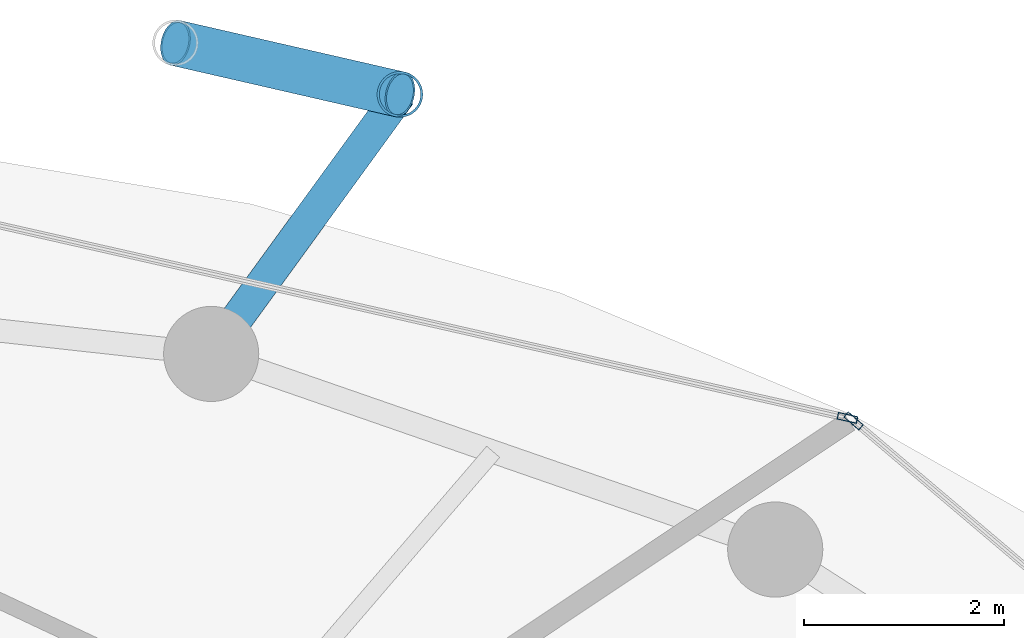
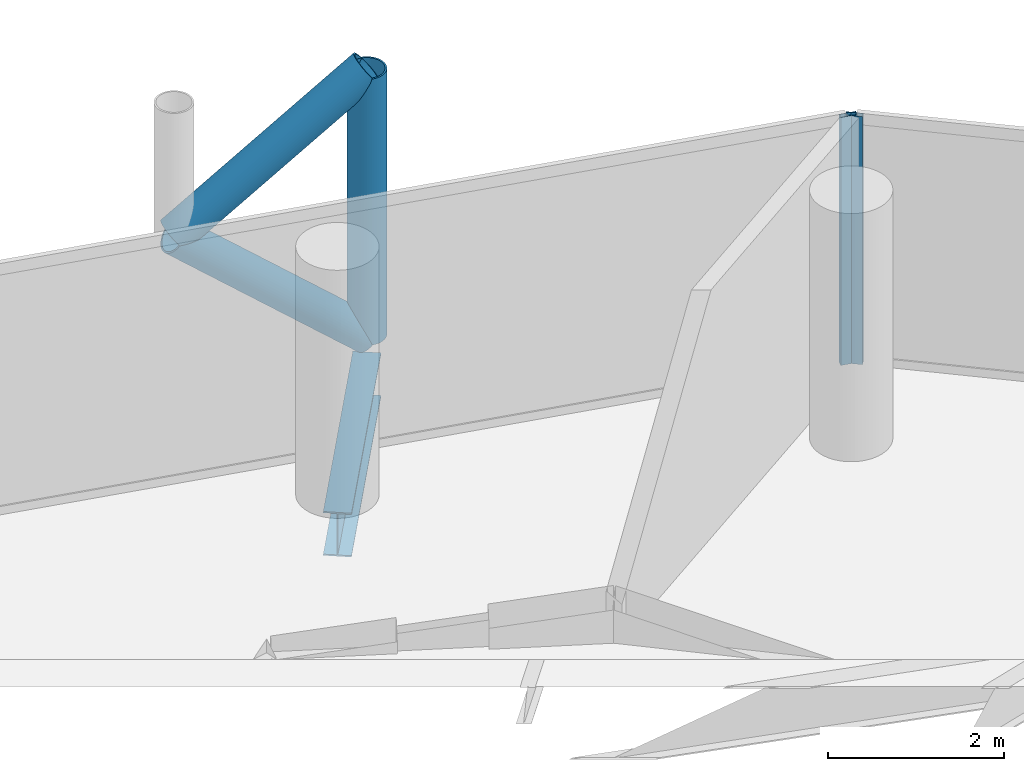
# One storey, part 20 of 26: 5 members, 1 beam, 2 elements without a shape of their own.
"""IFC4 building model written with IfcOpenShell, lengths in metres."""

from ifc_helpers import new_model, si_unit, direction, frame, origin, origin_2d, place, context, subcontext, project, spatial, hollow_rectangle, hollow_circle, i_section, extrude, material, layer, layer_set, material_profile, profile_set, type_object, element, aggregate, save


model = new_model("IFC4")

# Units and contexts
model_context = context("Model", 3, precision=1e-05, world=origin(), true_north=direction((0.0, 1.0)))
body_context = subcontext(model_context, "Body", "Model", "MODEL_VIEW")
ifc_project = project(units=[si_unit("LENGTHUNIT", "METRE"), si_unit("AREAUNIT", "SQUARE_METRE"), si_unit("VOLUMEUNIT", "CUBIC_METRE"), si_unit("PLANEANGLEUNIT", "RADIAN"), si_unit("MASSUNIT", "GRAM", prefix="KILO")], contexts=[model_context])

# Site, building, storey
site_placement = place(None, origin())
site = spatial("IfcSite", under=ifc_project, at=site_placement, CompositionType="ELEMENT")
building_placement = place(site_placement, origin())
building = spatial("IfcBuilding", under=site, at=building_placement, Name="Nuhasar Tower", CompositionType="ELEMENT")
storey_placement = place(building_placement, frame((0.0, 0.0, 133.050048828125)))
storey = spatial("IfcBuildingStorey", under=building, at=storey_placement, Name="L31", CompositionType="ELEMENT", Elevation=133.050048828125)

# Beam
ifc_material_1 = material(Name="Steel S355", Category="steel")
ifc_material_profile_1 = material_profile(ifc_material_1, i_section(OverallWidth=0.323974609375, OverallDepth=0.611083984375, WebThickness=0.0126953125, FlangeThickness=0.01904296875, at=origin_2d()), Name="W24X104")
ifc_profile_set_1 = profile_set([ifc_material_profile_1], Name="Steel S355")
beam_type = type_object("IfcBeamType", Name="BM-TIE-W24X104", PredefinedType="BEAM", material=ifc_profile_set_1)
beam_placement = place(storey_placement, frame((45.04296875, 45.68408203125, -0.554931640625), z_axis=(0.588185286445, 0.808726201387, 0.0), x_axis=(-0.808726201387, 0.588185286445, 0.0)))
element("IfcBeam", 1, at=beam_placement, inside=storey, type_object=beam_type, Name="L31 Exoskeleton Node Tie Beam 03", PredefinedType="BEAM", context=body_context, shape_type="SweptSolid", body=[
    extrude(i_section(OverallWidth=0.323974609375, OverallDepth=0.611083984375, WebThickness=0.0126953125, FlangeThickness=0.01904296875, at=origin_2d()), origin(), (0.0, 0.0, 1.0), 3.204833984375),
])

# Curtain wall, member
ifc_material_2 = material(Name="Aluminium 6063-T6", Category="aluminium")
ifc_layer = layer(ifc_material_2, 0.199951171875)
ifc_layer_set = layer_set([ifc_layer], Name="Aluminium 6063-T6")
curtain_wall_type = type_object("IfcCurtainWallType", Name="CW-Z2-HTL", PredefinedType="NOTDEFINED", material=ifc_layer_set)
curtain_wall_1_placement = place(storey_placement, origin())
curtain_wall_1 = element("IfcCurtainWall", 2, at=curtain_wall_1_placement, inside=storey, type_object=curtain_wall_type, Name="L31 Unitised Curtain Wall 02", PredefinedType="NOTDEFINED")
ifc_material_profile_2 = material_profile(ifc_material_2, hollow_rectangle(XDim=0.070068359375, YDim=0.199951171875, WallThickness=0.0048828125, at=origin_2d()), Name="CWM-3")
ifc_profile_set_2 = profile_set([ifc_material_profile_2], Name="Aluminium 6063-T6")
member_type_1 = type_object("IfcMemberType", Name="CW-MUL-S3", PredefinedType="MULLION", material=ifc_profile_set_2)
member_1_placement = place(storey_placement, frame((51.456787109375, 45.015380859375, 0.0), z_axis=(0.0, 0.0, 1.0), x_axis=(-0.646374438324, -0.763020370292, 0.0)))
member_1 = element("IfcMember", 3, at=member_1_placement, type_object=member_type_1, Name="CW-Z2 mullion 2", PredefinedType="MULLION", context=body_context, shape_type="SweptSolid", body=[
    extrude(hollow_rectangle(XDim=0.070068359375, YDim=0.199951171875, WallThickness=0.0048828125, at=origin_2d()), origin(), (0.0, 0.0, 1.0), 3.449951171875),
])
aggregate(curtain_wall_1, [member_1])

curtain_wall_2_placement = place(storey_placement, origin())
curtain_wall_2 = element("IfcCurtainWall", 4, at=curtain_wall_2_placement, inside=storey, type_object=curtain_wall_type, Name="L31 Unitised Curtain Wall 03", PredefinedType="NOTDEFINED")
member_2_placement = place(storey_placement, frame((51.395751953125, 45.045654296875, 0.0), z_axis=(0.0, 0.0, 1.0), x_axis=(-0.22139729566, -0.975183694221, 0.0)))
member_2 = element("IfcMember", 5, at=member_2_placement, type_object=member_type_1, Name="CW-Z2 mullion 1", PredefinedType="MULLION", context=body_context, shape_type="SweptSolid", body=[
    extrude(hollow_rectangle(XDim=0.070068359375, YDim=0.199951171875, WallThickness=0.0048828125, at=origin_2d()), origin(), (0.0, 0.0, 1.0), 3.449951171875),
])
aggregate(curtain_wall_2, [member_2])

# Members
ifc_material_3 = material(Name="Steel S460", Category="steel")
ifc_material_profile_3 = material_profile(ifc_material_3, hollow_circle(Radius=0.228515625, WallThickness=0.022216796875, at=origin_2d()), Name="HSS457X22.2")
ifc_profile_set_3 = profile_set([ifc_material_profile_3], Name="Steel S460")
member_type_2 = type_object("IfcMemberType", Name="EXO-BRONZE-457", PredefinedType="BRACE", material=ifc_profile_set_3)
member_3_placement = place(storey_placement, frame((46.927978515625, 48.27587890625, 0.0), z_axis=(0.0, 0.0, 1.0), x_axis=(1.0, 0.0, 0.0)))
element("IfcMember", 6, at=member_3_placement, inside=storey, type_object=member_type_2, Name="L31 Exoskeleton Chord Column EC-03A", PredefinedType="BRACE", context=body_context, shape_type="SweptSolid", body=[
    extrude(hollow_circle(Radius=0.228515625, WallThickness=0.022216796875, at=origin_2d()), origin(), (0.0, 0.0, 1.0), 3.699951171875),
])
member_4_placement = place(storey_placement, frame((46.927978515625, 48.27587890625, 0.0), z_axis=(-0.759538919781, 0.174190239035, 0.626704388019), x_axis=(-0.223533724104, -0.974696195842, 0.0)))
element("IfcMember", 7, at=member_4_placement, inside=storey, type_object=member_type_2, Name="L31 Bronze Diagrid Brace W1-03", PredefinedType="BRACE", context=body_context, shape_type="SweptSolid", body=[
    extrude(hollow_circle(Radius=0.228515625, WallThickness=0.022216796875, at=origin_2d()), origin(), (0.0, 0.0, 1.0), 2.95166015625),
])
member_5_placement = place(storey_placement, frame((44.68603515625, 48.7900390625, 1.849853515625), z_axis=(0.759499549084, -0.174181209885, 0.626754609927), x_axis=(0.223533724104, 0.974696195842, 0.0)))
element("IfcMember", 8, at=member_5_placement, inside=storey, type_object=member_type_2, Name="L31 Bronze Diagrid Brace W2-03", PredefinedType="BRACE", context=body_context, shape_type="SweptSolid", body=[
    extrude(hollow_circle(Radius=0.228515625, WallThickness=0.022216796875, at=origin_2d()), origin(), (0.0, 0.0, 1.0), 2.951904296875),
])

save(model, "model.ifc")
